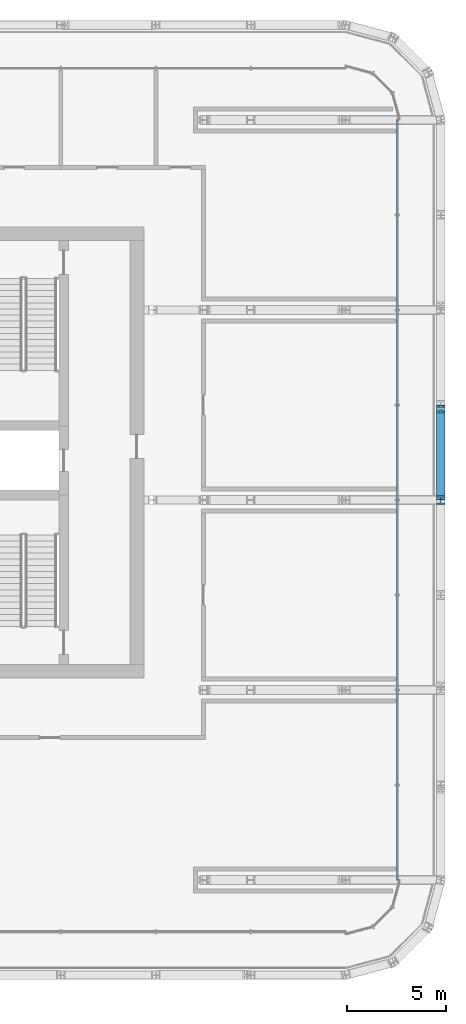
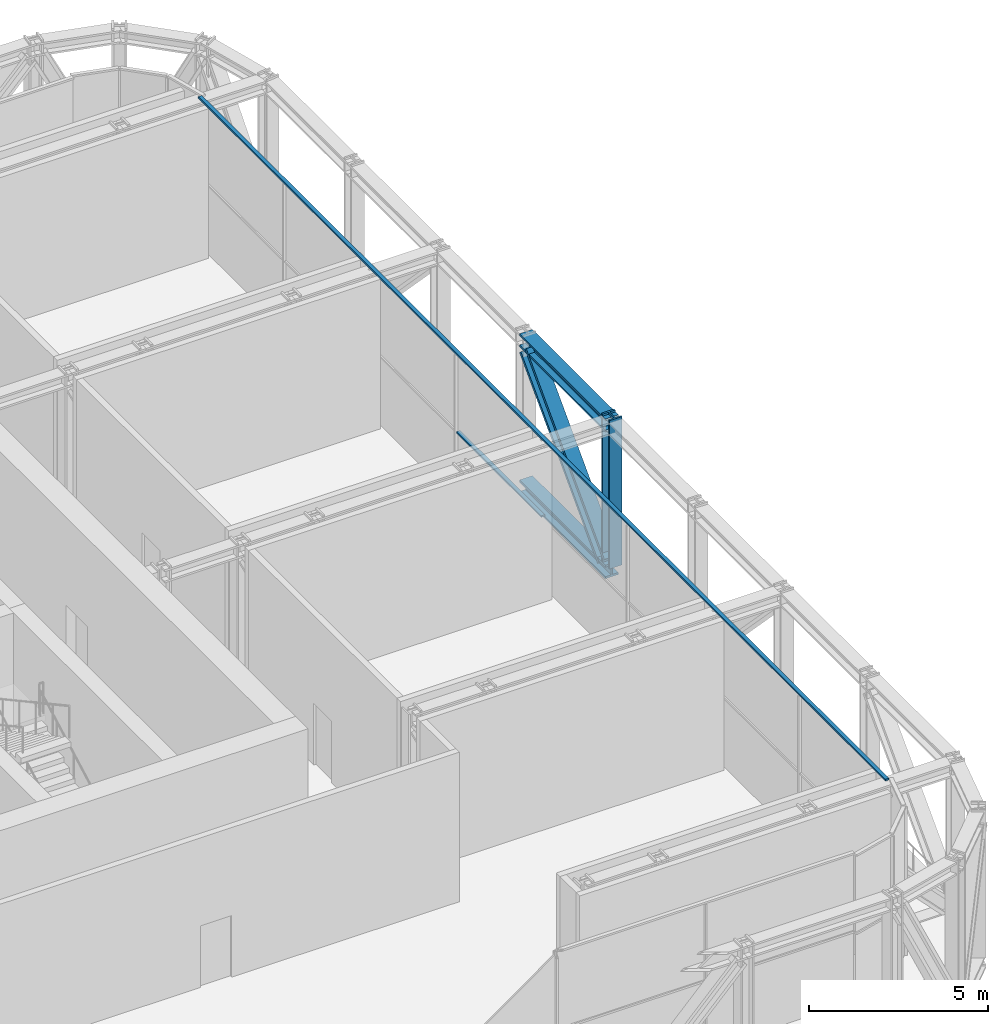
# One storey, part 10 of 30: 6 members, 1 element without a shape of its own.
"""IFC4 building model written with IfcOpenShell, lengths in metres."""

from ifc_helpers import new_model, si_unit, direction, frame, origin, origin_2d, place, context, subcontext, project, spatial, rectangle, i_section, extrude, material, layer, layer_set, material_profile, profile_set, type_object, element, aggregate, save


model = new_model("IFC4")

# Units and contexts
model_context = context("Model", 3, precision=1e-05, world=origin(), true_north=direction((0.0, 1.0)))
body_context = subcontext(model_context, "Body", "Model", "MODEL_VIEW")
ifc_project = project(units=[si_unit("LENGTHUNIT", "METRE"), si_unit("AREAUNIT", "SQUARE_METRE"), si_unit("VOLUMEUNIT", "CUBIC_METRE"), si_unit("PLANEANGLEUNIT", "RADIAN"), si_unit("MASSUNIT", "GRAM", prefix="KILO")], contexts=[model_context])

# Site, building, storey
site_placement = place(None, origin())
site = spatial("IfcSite", under=ifc_project, at=site_placement, CompositionType="ELEMENT")
building_placement = place(site_placement, origin())
building = spatial("IfcBuilding", under=site, at=building_placement, Name="Madar Terraces", CompositionType="ELEMENT")
storey_placement = place(building_placement, frame((0.0, 0.0, 173.5)))
storey = spatial("IfcBuildingStorey", under=building, at=storey_placement, Name="L45", CompositionType="ELEMENT", Elevation=173.5)

# Member
ifc_material_1 = material(Name="Steel ASTM A913 Grade 65", Category="steel")
ifc_material_profile_1 = material_profile(ifc_material_1, i_section(OverallWidth=0.421630859375, OverallDepth=0.46484375, WebThickness=0.044921875, FlangeThickness=0.072509765625, at=origin_2d()), Name="W14x398")
ifc_profile_set_1 = profile_set([ifc_material_profile_1], Name="Steel ASTM A913 Grade 65")
member_type_1 = type_object("IfcMemberType", Name="BC6 W14x398", PredefinedType="CHORD", material=ifc_profile_set_1)
member_1_placement = place(storey_placement, frame((62.39990234375, 24.0, -0.1875), z_axis=(0.0, 1.0, 0.0), x_axis=(-1.0, 0.0, 0.0)))
element("IfcMember", 1, at=member_1_placement, inside=storey, type_object=member_type_1, Name="Exoskeleton truss ring bottom chord BC6", PredefinedType="CHORD", context=body_context, shape_type="SweptSolid", body=[
    extrude(i_section(OverallWidth=0.421630859375, OverallDepth=0.46484375, WebThickness=0.044921875, FlangeThickness=0.072509765625, at=origin_2d()), origin(), (0.0, 0.0, 1.0), 4.800048828125),
])

# Curtain wall, members
ifc_material_2 = material(Name="Glass, ceramic frit dark grey, with black aluminium frame", Category="aluminium")
ifc_layer = layer(ifc_material_2, 0.199951171875)
ifc_layer_set = layer_set([ifc_layer], Name="Facade curtain wall, tall glazing")
curtain_wall_type = type_object("IfcCurtainWallType", Name="Facade curtain wall, tall glazing", PredefinedType="NOTDEFINED", material=ifc_layer_set)
curtain_wall_placement = place(storey_placement, origin())
curtain_wall = element("IfcCurtainWall", 2, at=curtain_wall_placement, inside=storey, type_object=curtain_wall_type, Name="Outer skin curtain wall east bay 1", PredefinedType="NOTDEFINED")
ifc_material_3 = material(Name="Aluminium, black anodised", Category="aluminium")
ifc_material_profile_2 = material_profile(ifc_material_3, rectangle(XDim=0.1201171875, YDim=0.06005859375, at=origin_2d()), Name="Facade transom 60x120")
ifc_profile_set_2 = profile_set([ifc_material_profile_2], Name="Aluminium, black anodised")
member_type_2 = type_object("IfcMemberType", Name="Facade transom 60x120", PredefinedType="USERDEFINED", material=ifc_profile_set_2)
member_2_placement = place(storey_placement, frame((60.199951171875, 4.800048828125, 5.070068359375), z_axis=(0.0, 1.0, 0.0), x_axis=(-1.0, 0.0, 0.0)))
member_2 = element("IfcMember", 3, at=member_2_placement, type_object=member_type_2, Name="Transom 1", ObjectType="TRANSOM", PredefinedType="USERDEFINED", context=body_context, shape_type="SweptSolid", body=[
    extrude(rectangle(XDim=0.1201171875, YDim=0.06005859375, at=origin_2d()), origin(), (0.0, 0.0, 1.0), 38.39990234375),
])
member_3_placement = place(storey_placement, frame((60.199951171875, 24.030029296875, 2.39990234375), z_axis=(0.0, 1.0, 0.0), x_axis=(-1.0, 0.0, 0.0)))
member_3 = element("IfcMember", 4, at=member_3_placement, type_object=member_type_2, Name="Transom 6", ObjectType="TRANSOM", PredefinedType="USERDEFINED", context=body_context, shape_type="SweptSolid", body=[
    extrude(rectangle(XDim=0.1201171875, YDim=0.06005859375, at=origin_2d()), origin(), (0.0, 0.0, 1.0), 4.739990234375),
])
aggregate(curtain_wall, [member_2, member_3])

# Members
ifc_material_4 = material(Name="Steel ASTM A913 Grade 65", Category="steel")
ifc_material_profile_3 = material_profile(ifc_material_4, i_section(OverallWidth=0.41650390625, OverallDepth=0.444580078125, WebThickness=0.0390625, FlangeThickness=0.062744140625, at=origin_2d()), Name="W14x342")
ifc_profile_set_3 = profile_set([ifc_material_profile_3], Name="Steel ASTM A913 Grade 65")
member_type_3 = type_object("IfcMemberType", Name="TC6 W14x342", PredefinedType="CHORD", material=ifc_profile_set_3)
member_4_placement = place(storey_placement, frame((62.39990234375, 24.0, 4.807861328125), z_axis=(0.0, 1.0, 0.0), x_axis=(-1.0, 0.0, 0.0)))
element("IfcMember", 5, at=member_4_placement, inside=storey, type_object=member_type_3, Name="Exoskeleton truss ring top chord TC6", PredefinedType="CHORD", context=body_context, shape_type="SweptSolid", body=[
    extrude(i_section(OverallWidth=0.41650390625, OverallDepth=0.444580078125, WebThickness=0.0390625, FlangeThickness=0.062744140625, at=origin_2d()), origin(), (0.0, 0.0, 1.0), 4.800048828125),
])
ifc_material_5 = material(Name="Steel ASTM A913 Grade 65", Category="steel")
ifc_material_profile_4 = material_profile(ifc_material_5, i_section(OverallWidth=0.44189453125, OverallDepth=0.53076171875, WebThickness=0.06591796875, FlangeThickness=0.105712890625, at=origin_2d()), Name="W14x605")
ifc_profile_set_4 = profile_set([ifc_material_profile_4], Name="Steel ASTM A913 Grade 65")
member_type_4 = type_object("IfcMemberType", Name="TD6 W14x605", PredefinedType="BRACE", material=ifc_profile_set_4)
member_5_placement = place(storey_placement, frame((62.39990234375, 24.223388671875, 0.044921875), z_axis=(0.0, 0.692873133915, 0.721059512314), x_axis=(-1.0, 0.0, 0.0)))
element("IfcMember", 6, at=member_5_placement, inside=storey, type_object=member_type_4, Name="Exoskeleton truss ring diagonal TD6", PredefinedType="BRACE", context=body_context, shape_type="SweptSolid", body=[
    extrude(i_section(OverallWidth=0.44189453125, OverallDepth=0.53076171875, WebThickness=0.06591796875, FlangeThickness=0.105712890625, at=origin_2d()), origin(), (0.0, 0.0, 1.0), 6.297119140625),
])
ifc_material_6 = material(Name="Steel ASTM A913 Grade 65", Category="steel")
ifc_material_profile_5 = material_profile(ifc_material_6, i_section(OverallWidth=0.411376953125, OverallDepth=0.434326171875, WebThickness=0.035888671875, FlangeThickness=0.057373046875, at=origin_2d()), Name="W14x311")
ifc_profile_set_5 = profile_set([ifc_material_profile_5], Name="Steel ASTM A913 Grade 65")
member_type_5 = type_object("IfcMemberType", Name="TV6 W14x311", PredefinedType="POST", material=ifc_profile_set_5)
member_6_placement = place(storey_placement, frame((62.39990234375, 24.0, 0.044921875), z_axis=(0.0, 0.0, 1.0), x_axis=(-1.0, 0.0, 0.0)))
element("IfcMember", 7, at=member_6_placement, inside=storey, type_object=member_type_5, Name="Exoskeleton truss ring post TV6", PredefinedType="POST", context=body_context, shape_type="SweptSolid", body=[
    extrude(i_section(OverallWidth=0.411376953125, OverallDepth=0.434326171875, WebThickness=0.035888671875, FlangeThickness=0.057373046875, at=origin_2d()), origin(), (0.0, 0.0, 1.0), 5.05517578125),
])

save(model, "model.ifc")
